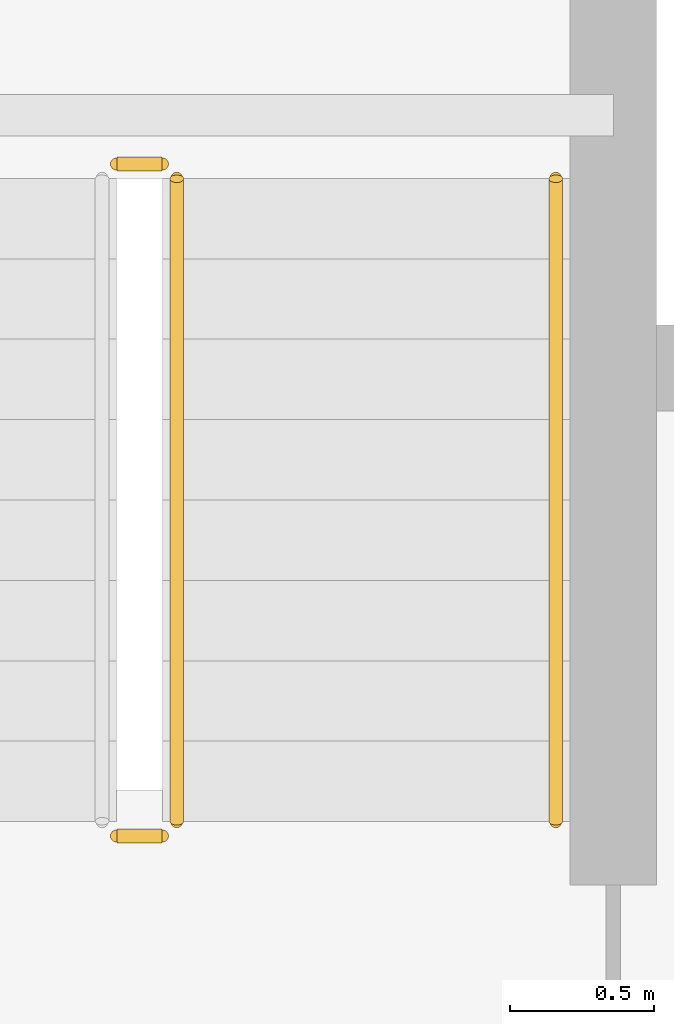
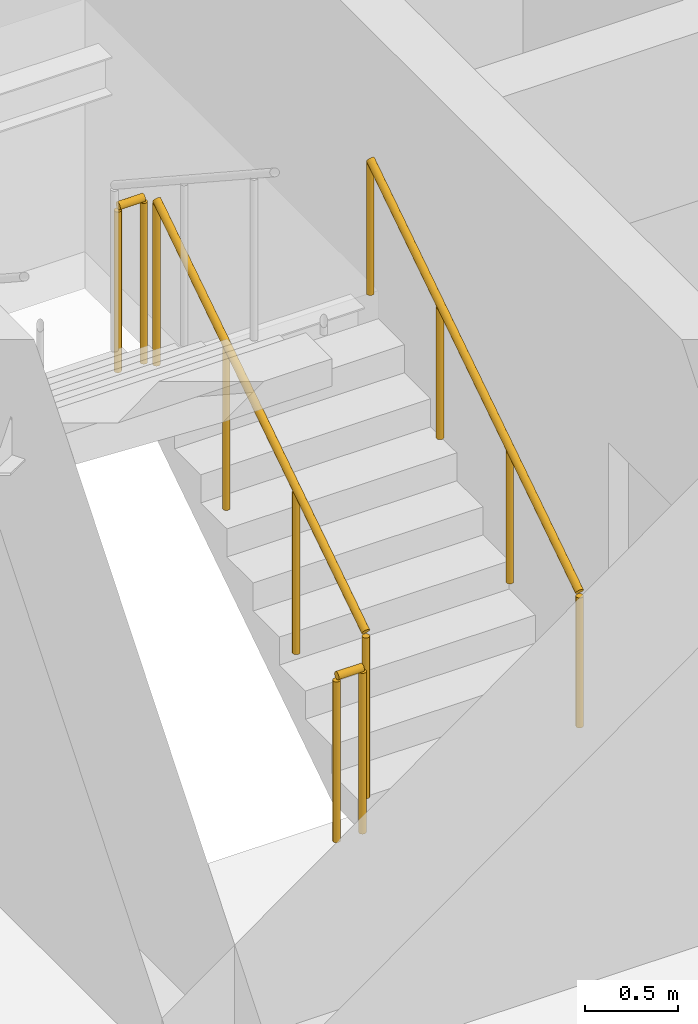
# One storey, part 33 of 36: 4 railings.
"""IFC4 building model written with IfcOpenShell, lengths in metres."""

import ifcopenshell
import ifcopenshell.guid

model = None  # the IFC model being written
_history = None  # IfcOwnerHistory: only IFC2X3 demands one
_inside = {}  # id of a spatial element -> (the spatial element, [elements in it])
_under = {}  # id of a project, library or spatial element -> (it, [spatial elements below it])
_declared = {}  # id of a project -> (the project, [libraries it declares])
_typed = {}  # id of a type object -> (the type object, [elements of that type])
_made_of = {}  # id of a material, layer set ... -> (it, [elements and type objects made of it])


def new_model(schema):
    """Start an empty IFC model of exactly this schema.

    Asked for "IFC4X3", IfcOpenShell would pick the latest addendum, in which some entities
    have other attributes; the version numbers below select the first issue.
    IFC2X3 requires an IfcOwnerHistory on every rooted entity: one is made here for all.
    """
    global model, _history
    if schema == "IFC4X3":
        model = ifcopenshell.file(schema_version=(4, 3, 0, 0))
    else:
        model = ifcopenshell.file(schema=schema)
    _inside.clear()
    _under.clear()
    _declared.clear()
    _typed.clear()
    _made_of.clear()
    _history = None
    if model.schema == "IFC2X3":
        org = make("IfcOrganization", Name="unknown")
        user = make(
            "IfcPersonAndOrganization",
            ThePerson=make("IfcPerson", FamilyName="unknown"),
            TheOrganization=org,
        )
        app = make(
            "IfcApplication",
            ApplicationDeveloper=org,
            Version="unknown",
            ApplicationFullName="unknown",
            ApplicationIdentifier="unknown",
        )
        _history = make(
            "IfcOwnerHistory",
            OwningUser=user,
            OwningApplication=app,
            ChangeAction="ADDED",
            CreationDate=0,
        )
    return model


def make(cls, **values):
    """One entity of the class cls with the attributes given. An attribute that is None is left unset."""
    return model.create_entity(
        cls, **{name: value for name, value in values.items() if value is not None}
    )


def rooted(cls, **values):
    """An entity with a GlobalId (a new one), such as an element, a storey or a relation."""
    return make(cls, GlobalId=ifcopenshell.guid.new(), OwnerHistory=_history, **values)


def si_unit(unit_type, name, prefix=None):
    """IfcSIUnit, for example si_unit("LENGTHUNIT", "METRE", prefix="MILLI")."""
    return make("IfcSIUnit", UnitType=unit_type, Prefix=prefix, Name=name)


def assignment(units):
    """IfcUnitAssignment: the units of a project."""
    return None if units is None else make("IfcUnitAssignment", Units=units)


def point(xyz):
    """IfcCartesianPoint."""
    return None if xyz is None else make("IfcCartesianPoint", Coordinates=xyz)


def direction(xyz):
    """IfcDirection."""
    return None if xyz is None else make("IfcDirection", DirectionRatios=xyz)


def frame(location, z_axis=None, x_axis=None):
    """IfcAxis2Placement3D, a coordinate frame: its origin and axes. An axis left out is left unset."""
    return make(
        "IfcAxis2Placement3D",
        Location=point(location),
        Axis=direction(z_axis),
        RefDirection=direction(x_axis),
    )


def frame_2d(location, x_axis=None):
    """IfcAxis2Placement2D, a coordinate frame in the plane: its origin and x axis."""
    return make(
        "IfcAxis2Placement2D", Location=point(location), RefDirection=direction(x_axis)
    )


def origin():
    """The frame at (0, 0, 0) with its axes left unset."""
    return frame((0.0, 0.0, 0.0))


def origin_2d():
    """The frame at (0, 0) in the plane with its x axis left unset."""
    return frame_2d((0.0, 0.0))


def place(relative_to, where):
    """IfcLocalPlacement: puts the frame where relative to a parent placement (None: the world)."""
    return make(
        "IfcLocalPlacement", PlacementRelTo=relative_to, RelativePlacement=where
    )


def context(
    kind, dimensions, precision=None, world=None, true_north=None, identifier=None
):
    """IfcGeometricRepresentationContext, for example the 3D "Model" context."""
    return make(
        "IfcGeometricRepresentationContext",
        ContextIdentifier=identifier,
        ContextType=kind,
        CoordinateSpaceDimension=dimensions,
        Precision=precision,
        WorldCoordinateSystem=world,
        TrueNorth=true_north,
    )


def subcontext(parent, identifier, kind, view, scale=None):
    """IfcGeometricRepresentationSubContext, for example "Body" below "Model"."""
    return make(
        "IfcGeometricRepresentationSubContext",
        ContextIdentifier=identifier,
        ContextType=kind,
        ParentContext=parent,
        TargetScale=scale,
        TargetView=view,
    )


def project(units=None, contexts=None):
    """IfcProject with its units and contexts."""
    return rooted(
        "IfcProject",
        Name="project",
        RepresentationContexts=contexts,
        UnitsInContext=assignment(units),
    )


def spatial(cls, under=None, at=None, **own):
    """A site, building, storey or space (cls), placed at a placement, below another one or the project."""
    s = rooted(cls, ObjectPlacement=at, **own)
    if under is not None:
        _under.setdefault(under.id(), (under, []))[1].append(s)
    return s


def profile(cls, at=None, kind="AREA", **sizes):
    """A parametric profile (cls). Its sizes go by their IFC names, for example OverallWidth=200.0."""
    return make(cls, ProfileType=kind, Position=at, **sizes)


def circle(**sizes):
    """IfcCircleProfileDef."""
    return profile("IfcCircleProfileDef", **sizes)


def extrude(swept, where, along, depth):
    """IfcExtrudedAreaSolid: the profile swept, set in the frame where, extruded along a direction by depth."""
    return make(
        "IfcExtrudedAreaSolid",
        SweptArea=swept,
        Position=where,
        ExtrudedDirection=direction(along),
        Depth=depth,
    )


def shape(context_of_items, identifier, shape_type, items):
    """IfcShapeRepresentation: the items that make up one representation, for example the "Body"."""
    return make(
        "IfcShapeRepresentation",
        ContextOfItems=context_of_items,
        RepresentationIdentifier=identifier,
        RepresentationType=shape_type,
        Items=items,
    )


def material(Name=None, Category=None):
    """IfcMaterial."""
    return make("IfcMaterial", Name=Name, Category=Category)


def made_of(thing, what):
    """Note that an element or type object is made of a material, layer set ...; save() writes the relation."""
    if what is not None:
        _made_of.setdefault(what.id(), (what, []))[1].append(thing)
    return thing


def type_object(cls, material=None, **own):
    """A type object (cls), such as IfcWallType, which elements share."""
    return made_of(rooted(cls, **own), material)


def element(
    cls,
    number,
    at=None,
    inside=None,
    cuts=None,
    type_object=None,
    material=None,
    context=None,
    identifier="Body",
    shape_type=None,
    held_by="IfcProductDefinitionShape",
    body=None,
    shapes=None,
    **own,
):
    """One element of the class cls, such as IfcWall. Its Tag is "e" and its number.

    at: its placement. inside: the storey or other place that contains it. cuts: it is an
    opening in that element (IfcRelVoidsElement). A single representation is given by context,
    identifier, shape_type and body (its items); several are given by shapes. held_by: the class
    of the entity that holds the representations. save() writes the other relations.
    """
    e = rooted(cls, Tag="e%d" % number, ObjectPlacement=at, **own)
    if body is not None:
        shapes = [shape(context, identifier, shape_type, body)]
    if shapes is not None:
        e.Representation = make(held_by, Representations=shapes)
    if inside is not None:
        _inside.setdefault(inside.id(), (inside, []))[1].append(e)
    if cuts is not None:
        rooted(
            "IfcRelVoidsElement", RelatingBuildingElement=cuts, RelatedOpeningElement=e
        )
    if type_object is not None:
        _typed.setdefault(type_object.id(), (type_object, []))[1].append(e)
    return made_of(e, material)


def aggregate(whole, parts):
    """IfcRelAggregates: a whole, such as a stair, and the parts it consists of."""
    return rooted("IfcRelAggregates", RelatingObject=whole, RelatedObjects=parts)


def save(model, path):
    """Write the relations noted so far, then the file.

    IfcRelAggregates (storeys below a building ...), IfcRelContainedInSpatialStructure (elements
    in a storey), IfcRelDefinesByType, IfcRelAssociatesMaterial and IfcRelDeclares: one each for
    every whole, place, type object, material and project.
    """
    for whole, parts in _under.values():
        aggregate(whole, parts)
    for where, things in _inside.values():
        rooted(
            "IfcRelContainedInSpatialStructure",
            RelatedElements=things,
            RelatingStructure=where,
        )
    for kind, things in _typed.values():
        rooted("IfcRelDefinesByType", RelatedObjects=things, RelatingType=kind)
    for what, things in _made_of.values():
        rooted("IfcRelAssociatesMaterial", RelatedObjects=things, RelatingMaterial=what)
    for by, libraries in _declared.values():
        rooted("IfcRelDeclares", RelatingContext=by, RelatedDefinitions=libraries)
    model.write(path)


model = new_model("IFC4")

# Units and contexts
model_context = context("Model", 3, precision=1e-05, world=origin(), true_north=direction((0.0, 1.0)))
body_context = subcontext(model_context, "Body", "Model", "MODEL_VIEW")
ifc_project = project(units=[si_unit("LENGTHUNIT", "METRE"), si_unit("AREAUNIT", "SQUARE_METRE"), si_unit("VOLUMEUNIT", "CUBIC_METRE"), si_unit("PLANEANGLEUNIT", "RADIAN"), si_unit("MASSUNIT", "GRAM", prefix="KILO")], contexts=[model_context])

# Site, building, storey
site_placement = place(None, origin())
site = spatial("IfcSite", under=ifc_project, at=site_placement, CompositionType="ELEMENT")
building_placement = place(site_placement, origin())
building = spatial("IfcBuilding", under=site, at=building_placement, Name="Orvanel Arch Residences", CompositionType="ELEMENT")
storey_placement = place(building_placement, frame((0.0, 0.0, 23.60009765625)))
storey = spatial("IfcBuildingStorey", under=building, at=storey_placement, Name="L05", CompositionType="ELEMENT", Elevation=23.60009765625)

# Railings
ifc_material = material(Name="Structural steel AS/NZS 1163 C350L0 (Grade 350)", Category="steel")
railing_type_1 = type_object("IfcRailingType", Name="RL-STAIR-GUARD", PredefinedType="GUARDRAIL", material=ifc_material)
railing_1_placement = place(storey_placement, frame((28.22998046875, 28.320068359375, 0.183349609375)))
element("IfcRailing", 1, at=railing_1_placement, inside=storey, type_object=railing_type_1, Name="L05 ST-1 stair guard 1", PredefinedType="GUARDRAIL", context=body_context, shape_type="SweptSolid", body=[
    extrude(circle(Radius=0.02392578125, at=origin_2d()), frame((0.0, 0.001220703125, 1.076904296875), z_axis=(0.0, 0.836636935527, 0.547757827979), x_axis=(-1.0, 0.0, 0.0)), (0.0, 0.0, 1.0), 2.67431640625),
    extrude(circle(Radius=0.02099609375, at=origin_2d()), origin(), (0.0, 0.0, 1.0), 1.050048828125),
    extrude(circle(Radius=0.02099609375, at=origin_2d()), frame((0.0, 0.74658203125, 0.48876953125)), (0.0, 0.0, 1.0), 1.050048828125),
    extrude(circle(Radius=0.02099609375, at=origin_2d()), frame((0.0, 1.493408203125, 0.977783203125)), (0.0, 0.0, 1.0), 1.050048828125),
    extrude(circle(Radius=0.02099609375, at=origin_2d()), frame((0.0, 2.239990234375, 1.466552734375)), (0.0, 0.0, 1.0), 1.050048828125),
])
for number, where, name in (
    (2, (28.179931640625, 30.610107421875, 1.64990234375), "L05 ST-1 stair guard 2"),
    (3, (28.179931640625, 28.27001953125, 0.0), "L05 ST-1 stair guard 4"),
):
    element("IfcRailing", number, at=place(storey_placement, frame(where)), inside=storey, type_object=railing_type_1, Name=name, PredefinedType="GUARDRAIL", context=body_context, shape_type="SweptSolid", body=[
        extrude(circle(Radius=0.02392578125, at=origin_2d()), frame((-0.00146484375, 0.0, 1.076171875), z_axis=(-1.0, 0.0, 0.0), x_axis=(0.0, -1.0, 0.0)), (0.0, 0.0, 1.0), 0.156982421875),
        extrude(circle(Radius=0.02099609375, at=origin_2d()), origin(), (0.0, 0.0, 1.0), 1.050048828125),
        extrude(circle(Radius=0.02099609375, at=origin_2d()), frame((-0.159912109375, 0.0, 0.0)), (0.0, 0.0, 1.0), 1.050048828125),
    ])
railing_type_2 = type_object("IfcRailingType", Name="RL-STAIR-HAND", PredefinedType="HANDRAIL", material=ifc_material)
railing_2_placement = place(storey_placement, frame((29.550048828125, 28.320068359375, 0.183349609375)))
element("IfcRailing", 4, at=railing_2_placement, inside=storey, type_object=railing_type_2, Name="L05 ST-1 stair handrail 1", PredefinedType="HANDRAIL", context=body_context, shape_type="SweptSolid", body=[
    extrude(circle(Radius=0.02392578125, at=origin_2d()), frame((0.0, 0.001220703125, 0.876708984375), z_axis=(0.0, 0.836636935527, 0.547757827979), x_axis=(-1.0, 0.0, 0.0)), (0.0, 0.0, 1.0), 2.67431640625),
    extrude(circle(Radius=0.02099609375, at=origin_2d()), origin(), (0.0, 0.0, 1.0), 0.849853515625),
    extrude(circle(Radius=0.02099609375, at=origin_2d()), frame((0.0, 0.74658203125, 0.48876953125)), (0.0, 0.0, 1.0), 0.849853515625),
    extrude(circle(Radius=0.02099609375, at=origin_2d()), frame((0.0, 1.493408203125, 0.977783203125)), (0.0, 0.0, 1.0), 0.849853515625),
    extrude(circle(Radius=0.02099609375, at=origin_2d()), frame((0.0, 2.239990234375, 1.466552734375)), (0.0, 0.0, 1.0), 0.849853515625),
])

save(model, "model.ifc")
